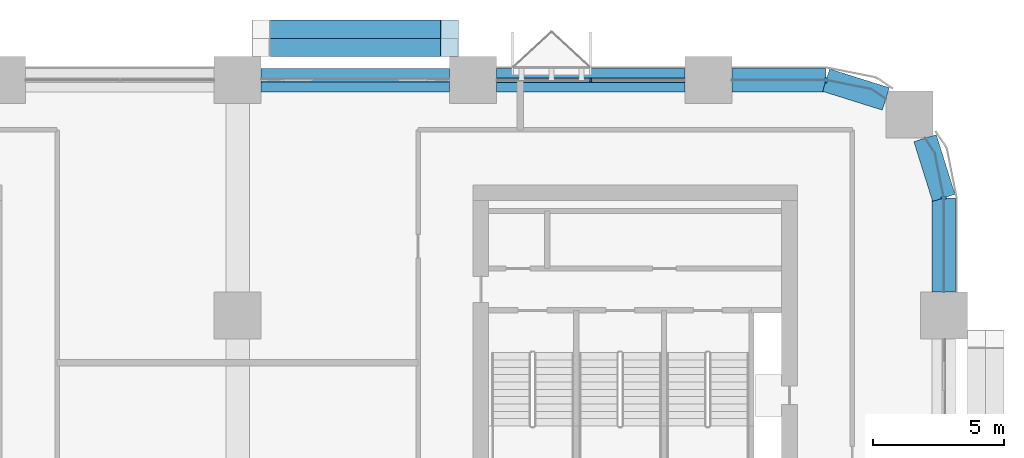
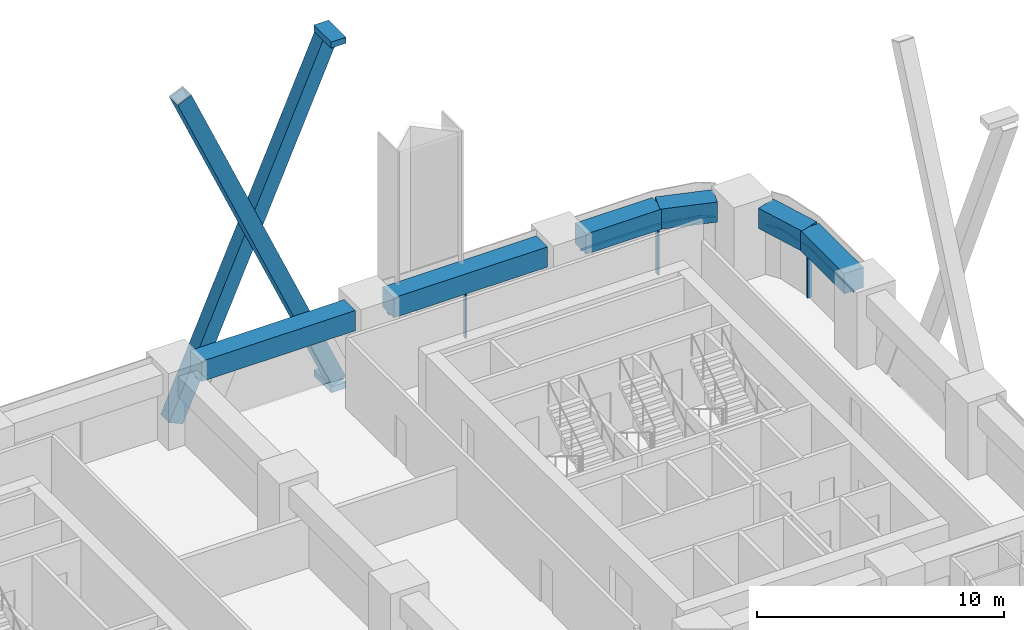
# One storey, part 10 of 24: 11 members, 6 beams, 4 elements without a shape of their own.
"""IFC4 building model written with IfcOpenShell, lengths in metres."""

from ifc_helpers import new_model, si_unit, direction, frame, origin, origin_2d, place, context, subcontext, project, spatial, polyline, rectangle, hollow_rectangle, outline, extrude, material, layer, layer_set, material_profile, profile_set, type_object, element, aggregate, save


model = new_model("IFC4")

# Units and contexts
model_context = context("Model", 3, precision=1e-05, world=origin(), true_north=direction((0.0, 1.0)))
body_context = subcontext(model_context, "Body", "Model", "MODEL_VIEW")
ifc_project = project(units=[si_unit("LENGTHUNIT", "METRE"), si_unit("AREAUNIT", "SQUARE_METRE"), si_unit("VOLUMEUNIT", "CUBIC_METRE"), si_unit("PLANEANGLEUNIT", "RADIAN"), si_unit("MASSUNIT", "GRAM", prefix="KILO")], contexts=[model_context])

# Site, building, storey
site_placement = place(None, origin())
site = spatial("IfcSite", under=ifc_project, at=site_placement, CompositionType="ELEMENT")
building_placement = place(site_placement, origin())
building = spatial("IfcBuilding", under=site, at=building_placement, Name="Tessera Arch", CompositionType="ELEMENT")
storey_placement = place(building_placement, frame((0.0, 0.0, 61.39990234375)))
storey = spatial("IfcBuildingStorey", under=building, at=storey_placement, Name="L13", CompositionType="ELEMENT", Elevation=61.39990234375)

# Members
ifc_material_1 = material(Name="Steel A572 Gr50", Category="steel")
ifc_material_profile_1 = material_profile(ifc_material_1, hollow_rectangle(XDim=0.699951171875, YDim=0.699951171875, WallThickness=0.050048828125, at=origin_2d()), Name="BOX 700x700x50")
ifc_profile_set_1 = profile_set([ifc_material_profile_1], Name="Steel A572 Gr50")
member_type_1 = type_object("IfcMemberType", Name="Brace BOX 700x700x50 Steel A572 Gr50", PredefinedType="BRACE", material=ifc_profile_set_1)
for number, where, z_axis, x_axis, name in (
    (1, (35.10009765625, 55.25, -0.7998046875), (-0.402001211434, 0.0, 0.915639135252), (0.0, -1.0, 0.0), "Brace N54.0-2 A L13-L16"),
    (2, (27.89990234375, 55.949951171875, -0.7998046875), (0.402001211434, 0.0, 0.915639135252), (0.0, 1.0, 0.0), "Brace N54.0-2 B L13-L16"),
):
    element("IfcMember", number, at=place(storey_placement, frame(where, z_axis=z_axis, x_axis=x_axis)), inside=storey, type_object=member_type_1, Name=name, PredefinedType="BRACE", context=body_context, shape_type="SweptSolid", body=[
        extrude(hollow_rectangle(XDim=0.699951171875, YDim=0.699951171875, WallThickness=0.050048828125, at=origin_2d()), origin(), (0.0, 0.0, 1.0), 17.910888671875),
    ])

# Curtain wall, members
ifc_material_2 = material(Name="CW1 curtain wall")
curtain_wall_type_1 = type_object("IfcCurtainWallType", Name="CW1 curtain wall", PredefinedType="NOTDEFINED", material=ifc_material_2)
curtain_wall_1_placement = place(storey_placement, origin())
curtain_wall_1 = element("IfcCurtainWall", 3, at=curtain_wall_1_placement, inside=storey, type_object=curtain_wall_type_1, Name="CW1 curtain wall N54.0/1 L13", PredefinedType="NOTDEFINED")
ifc_material_3 = material(Name="Anodised aluminium pale metal", Category="aluminium")
ifc_material_profile_2 = material_profile(ifc_material_3, rectangle(XDim=0.159912109375, YDim=0.06005859375, at=origin_2d()), Name="AL 60x160")
ifc_profile_set_2 = profile_set([ifc_material_profile_2], Name="Anodised aluminium pale metal")
member_type_2 = type_object("IfcMemberType", Name="CW1 mullion", PredefinedType="MULLION", material=ifc_profile_set_2)
member_1_placement = place(storey_placement, frame((40.5, 54.0, 0.0), z_axis=(0.0, 0.0, 1.0), x_axis=(0.0, -1.0, 0.0)))
member_1 = element("IfcMember", 4, at=member_1_placement, type_object=member_type_2, Name="CW1 mullion N54.0/1 1", PredefinedType="MULLION", context=body_context, shape_type="SweptSolid", body=[
    extrude(rectangle(XDim=0.159912109375, YDim=0.06005859375, at=origin_2d()), origin(), (0.0, 0.0, 1.0), 2.400146484375),
])
ifc_material_4 = material(Name="Anodised aluminium pale metal", Category="aluminium")
ifc_material_profile_3 = material_profile(ifc_material_4, rectangle(XDim=0.159912109375, YDim=0.10009765625, at=origin_2d()), Name="AL 160x100")
ifc_profile_set_3 = profile_set([ifc_material_profile_3], Name="Anodised aluminium pale metal")
member_type_3 = type_object("IfcMemberType", Name="CW1 transom", PredefinedType="USERDEFINED", material=ifc_profile_set_3)
member_2_placement = place(storey_placement, frame((44.10009765625, 54.0, 2.4501953125), z_axis=(-1.0, 0.0, 0.0), x_axis=(0.0, -1.0, 0.0)))
member_2 = element("IfcMember", 5, at=member_2_placement, type_object=member_type_3, Name="CW1 transom N54.0/1 1.1", ObjectType="TRANSOM", PredefinedType="USERDEFINED", context=body_context, shape_type="SweptSolid", body=[
    extrude(rectangle(XDim=0.159912109375, YDim=0.10009765625, at=origin_2d()), origin(), (0.0, 0.0, 1.0), 7.2001953125),
])
aggregate(curtain_wall_1, [member_1, member_2])

# Curtain wall, member
ifc_material_5 = material(Name="CW2 curtain wall")
curtain_wall_type_2 = type_object("IfcCurtainWallType", Name="CW2 curtain wall", PredefinedType="NOTDEFINED", material=ifc_material_5)
curtain_wall_2_placement = place(storey_placement, origin())
curtain_wall_2 = element("IfcCurtainWall", 6, at=curtain_wall_2_placement, inside=storey, type_object=curtain_wall_type_2, Name="CW2 curtain wall E54.0/5 L13", PredefinedType="NOTDEFINED")
ifc_material_6 = material(Name="Anodised aluminium pale metal", Category="aluminium")
ifc_material_profile_4 = material_profile(ifc_material_6, rectangle(XDim=0.199951171875, YDim=0.080078125, at=origin_2d()), Name="AL 80x200")
ifc_profile_set_4 = profile_set([ifc_material_profile_4], Name="Anodised aluminium pale metal")
member_type_4 = type_object("IfcMemberType", Name="CW2 mullion", PredefinedType="MULLION", material=ifc_profile_set_4)
member_3_placement = place(storey_placement, frame((54.0, 49.5, 0.0), z_axis=(0.0, 0.0, 1.0), x_axis=(-1.0, 0.0, 0.0)))
member_3 = element("IfcMember", 7, at=member_3_placement, type_object=member_type_4, Name="CW2 mullion E54.0/5 1", PredefinedType="MULLION", context=body_context, shape_type="SweptSolid", body=[
    extrude(rectangle(XDim=0.199951171875, YDim=0.080078125, at=origin_2d()), origin(), (0.0, 0.0, 1.0), 2.400146484375),
])

curtain_wall_3_placement = place(storey_placement, origin())
curtain_wall_3 = element("IfcCurtainWall", 8, at=curtain_wall_3_placement, inside=storey, type_object=curtain_wall_type_2, Name="CW2 curtain wall N54.0/0 L13", PredefinedType="NOTDEFINED")
member_4_placement = place(storey_placement, frame((49.5, 54.0, 0.0), z_axis=(0.0, 0.0, 1.0), x_axis=(0.0, -1.0, 0.0)))
member_4 = element("IfcMember", 9, at=member_4_placement, type_object=member_type_4, Name="CW2 mullion N54.0/0 1", PredefinedType="MULLION", context=body_context, shape_type="SweptSolid", body=[
    extrude(rectangle(XDim=0.199951171875, YDim=0.080078125, at=origin_2d()), origin(), (0.0, 0.0, 1.0), 2.400146484375),
])

# Member
ifc_material_7 = material(Name="Anodised aluminium pale metal", Category="aluminium")
ifc_material_profile_5 = material_profile(ifc_material_7, rectangle(XDim=0.199951171875, YDim=0.10009765625, at=origin_2d()), Name="AL 200x100")
ifc_profile_set_5 = profile_set([ifc_material_profile_5], Name="Anodised aluminium pale metal")
member_type_5 = type_object("IfcMemberType", Name="CW2 transom", PredefinedType="USERDEFINED", material=ifc_profile_set_5)
member_5_placement = place(storey_placement, frame((0.0, 0.0, 2.400146484375)))
member_5 = element("IfcMember", 10, at=member_5_placement, type_object=member_type_5, Name="CW2 transom E54.0/5 1", ObjectType="TRANSOM", PredefinedType="USERDEFINED", context=body_context, shape_type="SweptSolid", body=[
    extrude(outline(polyline([(53.989990234375, 49.4990234375), (53.989990234375, 45.89990234375), (54.010009765625, 45.89990234375), (54.010009765625, 49.5009765625), (53.6669921875, 51.22607421875), (53.29150390625, 51.78759765625), (53.27490234375, 51.7763671875), (53.648193359375, 51.21826171875), (53.989990234375, 49.4990234375)])), origin(), (0.0, 0.0, 1.0), 0.099853515625),
])

aggregate(curtain_wall_2, [member_3, member_5])

member_6_placement = place(storey_placement, frame((0.0, 0.0, 2.400146484375)))
member_6 = element("IfcMember", 11, at=member_6_placement, type_object=member_type_5, Name="CW2 transom N54.0/0 1", ObjectType="TRANSOM", PredefinedType="USERDEFINED", context=body_context, shape_type="SweptSolid", body=[
    extrude(outline(polyline([(51.21826171875, 53.648193359375), (51.7763671875, 53.27490234375), (51.78759765625, 53.29150390625), (51.22607421875, 53.6669921875), (49.5009765625, 54.010009765625), (45.89990234375, 54.010009765625), (45.89990234375, 53.989990234375), (49.4990234375, 53.989990234375), (51.21826171875, 53.648193359375)])), origin(), (0.0, 0.0, 1.0), 0.099853515625),
])

aggregate(curtain_wall_3, [member_4, member_6])

# Curtain wall, member
ifc_material_8 = material(Name="CW3 curtain wall")
curtain_wall_type_3 = type_object("IfcCurtainWallType", Name="CW3 curtain wall", PredefinedType="NOTDEFINED", material=ifc_material_8)
curtain_wall_4_placement = place(storey_placement, origin())
curtain_wall_4 = element("IfcCurtainWall", 12, at=curtain_wall_4_placement, inside=storey, type_object=curtain_wall_type_3, Name="CW3 curtain wall N54.0/2 L13", PredefinedType="NOTDEFINED")
ifc_material_9 = material(Name="Anodised aluminium pale metal", Category="aluminium")
ifc_material_profile_6 = material_profile(ifc_material_9, rectangle(XDim=0.139892578125, YDim=0.10009765625, at=origin_2d()), Name="AL 140x100")
ifc_profile_set_6 = profile_set([ifc_material_profile_6], Name="Anodised aluminium pale metal")
member_type_6 = type_object("IfcMemberType", Name="CW3 transom", PredefinedType="USERDEFINED", material=ifc_profile_set_6)
member_7_placement = place(storey_placement, frame((35.10009765625, 54.0, 2.4501953125), z_axis=(-1.0, 0.0, 0.0), x_axis=(0.0, -1.0, 0.0)))
member_7 = element("IfcMember", 13, at=member_7_placement, type_object=member_type_6, Name="CW3 transom N54.0/2 1.1", ObjectType="TRANSOM", PredefinedType="USERDEFINED", context=body_context, shape_type="SweptSolid", body=[
    extrude(rectangle(XDim=0.139892578125, YDim=0.10009765625, at=origin_2d()), origin(), (0.0, 0.0, 1.0), 7.2001953125),
])
aggregate(curtain_wall_4, [member_7])

# Members
ifc_material_10 = material(Name="Steel A572 Gr50", Category="steel")
ifc_layer = layer(ifc_material_10, 0.050048828125)
ifc_layer_set = layer_set([ifc_layer], Name="Node block Steel A572 Gr50")
member_type_7 = type_object("IfcMemberType", Name="Node block Steel A572 Gr50", PredefinedType="PLATE", material=ifc_layer_set)
for number, where, z_axis, x_axis, name in (
    (14, (35.10009765625, 55.60009765625, -1.27734375), (0.0, 0.0, 1.0), (-1.0, 0.0, 0.0), "Node block seat N54.0-2 2 L13"),
    (15, (35.10009765625, 55.60009765625, 15.77734375), (0.0, 0.0, 1.0), (-1.0, 0.0, 0.0), "Node block head N54.0-2 B L13"),
):
    element("IfcMember", number, at=place(storey_placement, frame(where, z_axis=z_axis, x_axis=x_axis)), inside=storey, type_object=member_type_7, Name=name, PredefinedType="PLATE", context=body_context, shape_type="SweptSolid", body=[
        extrude(rectangle(XDim=0.699951171875, YDim=1.39990234375, at=origin_2d()), origin(), (0.0, 0.0, 1.0), 0.300048828125),
    ])

# Beams
ifc_material_11 = material(Name="Concrete C80/95", Category="concrete")
ifc_material_profile_7 = material_profile(ifc_material_11, rectangle(XDim=0.89990234375, YDim=1.0, at=origin_2d()), Name="RC spandrel beam 900 x 1000 Concrete C80/95")
ifc_profile_set_7 = profile_set([ifc_material_profile_7], Name="Concrete C80/95")
beam_type = type_object("IfcBeamType", Name="RC spandrel beam 900 x 1000 Concrete C80/95", PredefinedType="BEAM", material=ifc_profile_set_7)
beam_1_placement = place(storey_placement, frame((54.0, 45.89990234375, 3.0), z_axis=(0.0, 1.0, 0.0), x_axis=(-1.0, 0.0, 0.0)))
element("IfcBeam", 16, at=beam_1_placement, inside=storey, type_object=beam_type, Name="Spandrel beam L13 E54.0/5.1", PredefinedType="BEAM", context=body_context, shape_type="SweptSolid", body=[
    extrude(rectangle(XDim=0.89990234375, YDim=1.0, at=origin_2d()), origin(), (0.0, 0.0, 1.0), 3.60009765625),
])
for number, where, z_axis, x_axis, name in (
    (17, (54.0, 49.5, 3.0), (-0.299675309057, 0.954041251279, 0.0), (-0.954041251279, -0.299675309057, 0.0), "Spandrel beam L13 E54.0/5.2"),
    (18, (51.781982421875, 53.283203125, 3.0), (-0.954041251279, 0.299675309057, 0.0), (-0.299675309057, -0.954041251279, 0.0), "Spandrel beam L13 N54.0/0.1"),
):
    element("IfcBeam", number, at=place(storey_placement, frame(where, z_axis=z_axis, x_axis=x_axis)), inside=storey, type_object=beam_type, Name=name, PredefinedType="BEAM", context=body_context, shape_type="SweptSolid", body=[
        extrude(rectangle(XDim=0.89990234375, YDim=1.0, at=origin_2d()), origin(), (0.0, 0.0, 1.0), 2.391845703125),
    ])
beam_2_placement = place(storey_placement, frame((49.5, 54.0, 3.0), z_axis=(-1.0, 0.0, 0.0), x_axis=(0.0, -1.0, 0.0)))
element("IfcBeam", 19, at=beam_2_placement, inside=storey, type_object=beam_type, Name="Spandrel beam L13 N54.0/0.2", PredefinedType="BEAM", context=body_context, shape_type="SweptSolid", body=[
    extrude(rectangle(XDim=0.89990234375, YDim=1.0, at=origin_2d()), origin(), (0.0, 0.0, 1.0), 3.60009765625),
])
for number, where, z_axis, x_axis, name in (
    (20, (44.10009765625, 54.0, 3.0), (-1.0, 0.0, 0.0), (0.0, -1.0, 0.0), "Spandrel beam L13 N54.0/1"),
    (21, (35.10009765625, 54.0, 3.0), (-1.0, 0.0, 0.0), (0.0, -1.0, 0.0), "Spandrel beam L13 N54.0/2"),
):
    element("IfcBeam", number, at=place(storey_placement, frame(where, z_axis=z_axis, x_axis=x_axis)), inside=storey, type_object=beam_type, Name=name, PredefinedType="BEAM", context=body_context, shape_type="SweptSolid", body=[
        extrude(rectangle(XDim=0.89990234375, YDim=1.0, at=origin_2d()), origin(), (0.0, 0.0, 1.0), 7.2001953125),
    ])

save(model, "model.ifc")
